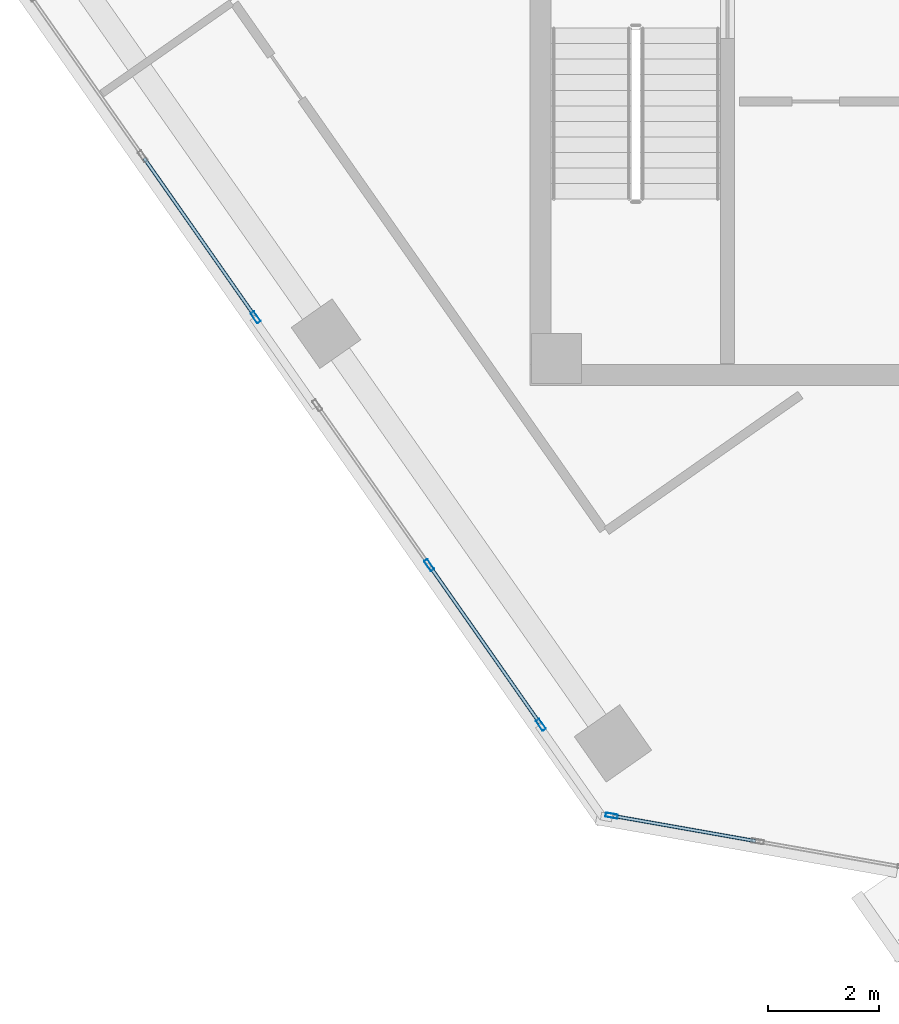
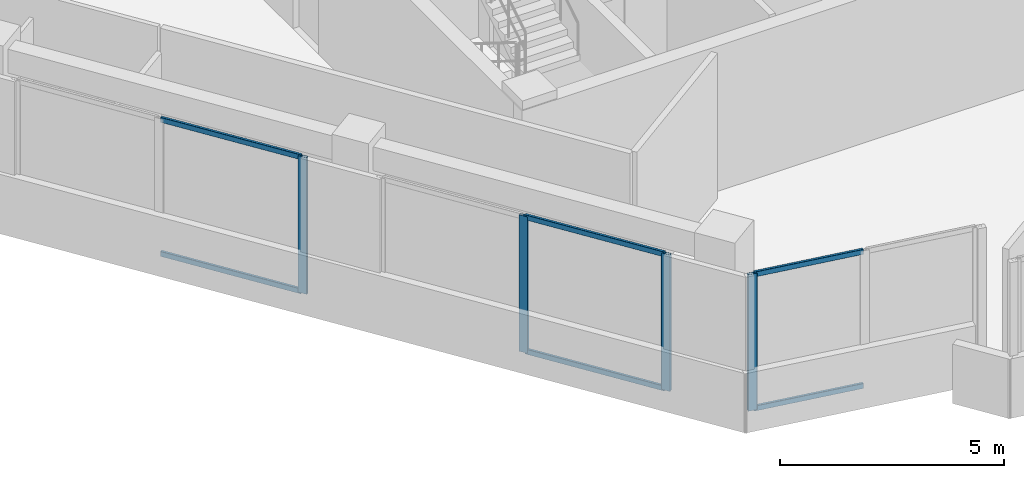
# One storey, part 2 of 17: 10 members, 3 elements without a shape of their own.
"""IFC4 building model written with IfcOpenShell, lengths in metres."""

from ifc_helpers import new_model, si_unit, direction, frame, origin, origin_2d, place, context, subcontext, project, spatial, hollow_rectangle, extrude, source, transform, mapped, material, material_profile, profile_set, type_object, element, aggregate, save


model = new_model("IFC4")

# Units and contexts
model_context = context("Model", 3, precision=1e-05, world=origin(), true_north=direction((0.0, 1.0)))
body_context = subcontext(model_context, "Body", "Model", "MODEL_VIEW")
ifc_project = project(units=[si_unit("LENGTHUNIT", "METRE"), si_unit("AREAUNIT", "SQUARE_METRE"), si_unit("VOLUMEUNIT", "CUBIC_METRE"), si_unit("PLANEANGLEUNIT", "RADIAN"), si_unit("MASSUNIT", "GRAM", prefix="KILO")], contexts=[model_context])

# Site, building, storey
site_placement = place(None, origin())
site = spatial("IfcSite", under=ifc_project, at=site_placement, CompositionType="ELEMENT")
building_placement = place(site_placement, origin())
building = spatial("IfcBuilding", under=site, at=building_placement, Name="Torre Montelarca", CompositionType="ELEMENT")
storey_placement = place(building_placement, frame((0.0, 0.0, 298.800048828125)))
storey = spatial("IfcBuildingStorey", under=building, at=storey_placement, Name="L67", CompositionType="ELEMENT", Elevation=298.800048828125)

# Curtain wall, member
ifc_material_1 = material(Name="Insulated low-E laminated glass", Category="glass")
curtain_wall_type = type_object("IfcCurtainWallType", Name="CW-SYS-Z4", PredefinedType="USERDEFINED", material=ifc_material_1)
curtain_wall_1_placement = place(storey_placement, origin())
curtain_wall_1 = element("IfcCurtainWall", 1, at=curtain_wall_1_placement, inside=storey, type_object=curtain_wall_type, Name="L67 Curtain Wall Run CW-T3-L67-E01-B1", ObjectType="UNITISED GLAZING", PredefinedType="USERDEFINED")
ifc_material_2 = material(Name="Anodised aluminium AA 6063-T6", Category="aluminium")
ifc_material_profile_1 = material_profile(ifc_material_2, hollow_rectangle(XDim=0.074951171875, YDim=0.219970703125, WallThickness=0.0048828125, InnerFilletRadius=0.0048828125, OuterFilletRadius=0.010009765625, at=origin_2d()), Name="ALU75X220X5", Category="aluminium")
ifc_profile_set_1 = profile_set([ifc_material_profile_1], Name="Anodised aluminium AA 6063-T6")
member_type_1 = type_object("IfcMemberType", Name="CWM-ALU220", PredefinedType="MULLION", material=ifc_profile_set_1)
shared_shape_1 = source(origin(), body_context, "Body", "SweptSolid", [
    extrude(hollow_rectangle(XDim=0.074951171875, YDim=0.219970703125, WallThickness=0.0048828125, InnerFilletRadius=0.0048828125, OuterFilletRadius=0.010009765625, at=origin_2d()), origin(), (0.0, 0.0, 1.0), 3.719970703125),
])
member_1_placement = place(storey_placement, frame((4.135498046875, 25.294921875, 0.0), z_axis=(0.0, 0.0, 1.0), x_axis=(0.819156903891, 0.573569496058, 0.0)))
member_1 = element("IfcMember", 2, at=member_1_placement, type_object=member_type_1, Name="CW mullion 3", PredefinedType="MULLION", context=body_context, shape_type="MappedRepresentation", body=[
    mapped(shared_shape_1, transform((0.0, 0.0, 0.0), scale=1.0)),
])

# Curtain wall, members
curtain_wall_2_placement = place(storey_placement, origin())
curtain_wall_2 = element("IfcCurtainWall", 3, at=curtain_wall_2_placement, inside=storey, type_object=curtain_wall_type, Name="L67 Curtain Wall Run CW-T3-L67-E01-B2", ObjectType="UNITISED GLAZING", PredefinedType="USERDEFINED")
member_2_placement = place(storey_placement, frame((7.257080078125, 20.8369140625, 0.0), z_axis=(0.0, 0.0, 1.0), x_axis=(0.819156374316, 0.573570252382, 0.0)))
member_2 = element("IfcMember", 4, at=member_2_placement, type_object=member_type_1, Name="CW mullion 2", PredefinedType="MULLION", context=body_context, shape_type="MappedRepresentation", body=[
    mapped(shared_shape_1, transform((0.0, 0.0, 0.0), scale=1.0)),
])
member_3_placement = place(storey_placement, frame((9.26904296875, 17.963623046875, 0.0), z_axis=(0.0, 0.0, 1.0), x_axis=(0.819156374316, 0.573570252382, 0.0)))
member_3 = element("IfcMember", 5, at=member_3_placement, type_object=member_type_1, Name="CW mullion 3", PredefinedType="MULLION", context=body_context, shape_type="MappedRepresentation", body=[
    mapped(shared_shape_1, transform((0.0, 0.0, 0.0), scale=1.0)),
])

# Curtain wall, member
curtain_wall_3_placement = place(storey_placement, origin())
curtain_wall_3 = element("IfcCurtainWall", 6, at=curtain_wall_3_placement, inside=storey, type_object=curtain_wall_type, Name="L67 Curtain Wall Run CW-T3-L67-E02-B1", ObjectType="UNITISED GLAZING", PredefinedType="USERDEFINED")
member_4_placement = place(storey_placement, frame((10.54248046875, 16.3291015625, 0.0), z_axis=(0.0, 0.0, 1.0), x_axis=(0.17364192333, 0.9848088558, 0.0)))
member_4 = element("IfcMember", 7, at=member_4_placement, type_object=member_type_1, Name="CW mullion 1", PredefinedType="MULLION", context=body_context, shape_type="MappedRepresentation", body=[
    mapped(shared_shape_1, transform((0.0, 0.0, 0.0), scale=1.0)),
])

# Member
ifc_material_profile_2 = material_profile(ifc_material_2, hollow_rectangle(XDim=0.06494140625, YDim=0.139892578125, WallThickness=0.00390625, InnerFilletRadius=0.00390625, OuterFilletRadius=0.008056640625, at=origin_2d()), Name="ALU65X140X4", Category="aluminium")
ifc_profile_set_2 = profile_set([ifc_material_profile_2], Name="Anodised aluminium AA 6063-T6")
member_type_2 = type_object("IfcMemberType", Name="CWT-ALU140", PredefinedType="USERDEFINED", material=ifc_profile_set_2)
shared_shape_2 = source(origin(), body_context, "Body", "SweptSolid", [
    extrude(hollow_rectangle(XDim=0.06494140625, YDim=0.139892578125, WallThickness=0.00390625, InnerFilletRadius=0.00390625, OuterFilletRadius=0.008056640625, at=origin_2d()), origin(), (0.0, 0.0, 1.0), 3.45751953125),
])
member_5_placement = place(storey_placement, frame((2.130859375, 28.157958984375, 0.032470703125), z_axis=(0.573571335788, -0.819155615718, 0.0), x_axis=(0.819155615718, 0.573571335788, 0.0)))
member_5 = element("IfcMember", 8, at=member_5_placement, type_object=member_type_2, Name="CW transom 2.1", ObjectType="TRANSOM", PredefinedType="USERDEFINED", context=body_context, shape_type="MappedRepresentation", body=[
    mapped(shared_shape_2, transform((0.0, 0.0, 0.0), scale=1.0)),
])

member_6_placement = place(storey_placement, frame((2.130859375, 28.157958984375, 3.6875), z_axis=(0.573571335788, -0.819155615718, 0.0), x_axis=(0.819155615718, 0.573571335788, 0.0)))
member_6 = element("IfcMember", 9, at=member_6_placement, type_object=member_type_2, Name="CW transom 2.2", ObjectType="TRANSOM", PredefinedType="USERDEFINED", context=body_context, shape_type="MappedRepresentation", body=[
    mapped(shared_shape_2, transform((0.0, 0.0, 0.0), scale=1.0)),
])

aggregate(curtain_wall_1, [member_1, member_5, member_6])

shared_shape_3 = source(origin(), body_context, "Body", "SweptSolid", [
    extrude(hollow_rectangle(XDim=0.06494140625, YDim=0.139892578125, WallThickness=0.00390625, InnerFilletRadius=0.00390625, OuterFilletRadius=0.008056640625, at=origin_2d()), origin(), (0.0, 0.0, 1.0), 3.432373046875),
])
member_7_placement = place(storey_placement, frame((7.27880859375, 20.80615234375, 0.032470703125), z_axis=(0.573562585209, -0.819161742789, 0.0), x_axis=(0.819161742789, 0.573562585209, 0.0)))
member_7 = element("IfcMember", 10, at=member_7_placement, type_object=member_type_2, Name="CW transom 2.1", ObjectType="TRANSOM", PredefinedType="USERDEFINED", context=body_context, shape_type="MappedRepresentation", body=[
    mapped(shared_shape_3, transform((0.0, 0.0, 0.0), scale=1.0)),
])

member_8_placement = place(storey_placement, frame((7.27880859375, 20.80615234375, 3.6875), z_axis=(0.573562585209, -0.819161742789, 0.0), x_axis=(0.819161742789, 0.573562585209, 0.0)))
member_8 = element("IfcMember", 11, at=member_8_placement, type_object=member_type_2, Name="CW transom 2.2", ObjectType="TRANSOM", PredefinedType="USERDEFINED", context=body_context, shape_type="MappedRepresentation", body=[
    mapped(shared_shape_3, transform((0.0, 0.0, 0.0), scale=1.0)),
])

aggregate(curtain_wall_2, [member_2, member_3, member_7, member_8])

shared_shape_4 = source(origin(), body_context, "Body", "SweptSolid", [
    extrude(hollow_rectangle(XDim=0.06494140625, YDim=0.139892578125, WallThickness=0.00390625, InnerFilletRadius=0.00390625, OuterFilletRadius=0.008056640625, at=origin_2d()), origin(), (0.0, 0.0, 1.0), 2.592529296875),
])
member_9_placement = place(storey_placement, frame((10.579345703125, 16.322509765625, 0.032470703125), z_axis=(0.984808196894, -0.173645660267, 0.0), x_axis=(0.173645660267, 0.984808196894, 0.0)))
member_9 = element("IfcMember", 12, at=member_9_placement, type_object=member_type_2, Name="CW transom 1.1", ObjectType="TRANSOM", PredefinedType="USERDEFINED", context=body_context, shape_type="MappedRepresentation", body=[
    mapped(shared_shape_4, transform((0.0, 0.0, 0.0), scale=1.0)),
])

member_10_placement = place(storey_placement, frame((10.579345703125, 16.322509765625, 3.6875), z_axis=(0.984808196894, -0.173645660267, 0.0), x_axis=(0.173645660267, 0.984808196894, 0.0)))
member_10 = element("IfcMember", 13, at=member_10_placement, type_object=member_type_2, Name="CW transom 1.2", ObjectType="TRANSOM", PredefinedType="USERDEFINED", context=body_context, shape_type="MappedRepresentation", body=[
    mapped(shared_shape_4, transform((0.0, 0.0, 0.0), scale=1.0)),
])

aggregate(curtain_wall_3, [member_4, member_9, member_10])

save(model, "model.ifc")
